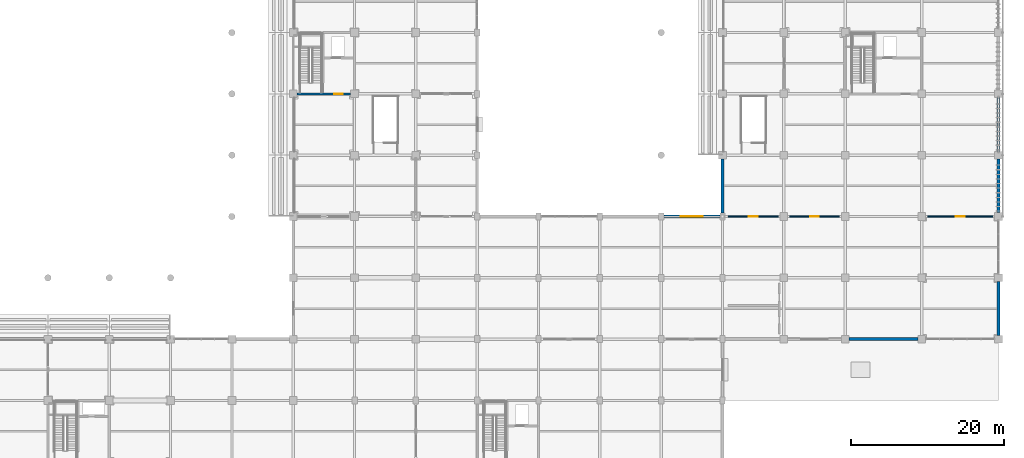
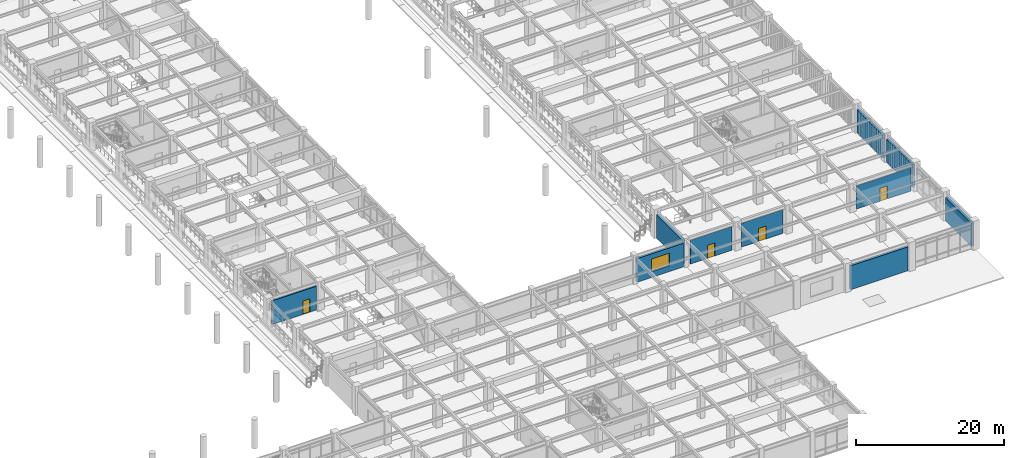
# One storey, part 78 of 117: 10 walls, 4 doors, 1 window, 5 openings.
"""IFC4 building model written with IfcOpenShell, lengths in metres."""

from ifc_helpers import new_model, si_unit, direction, frame, frame_2d, origin, place, context, subcontext, project, spatial, rectangle, extrude, material, layer, layer_set, type_object, element, fill, save


model = new_model("IFC4")

# Units and contexts
model_context = context("Model", 3, precision=1e-05, world=origin(), true_north=direction((0.0, 1.0)))
body_context = subcontext(model_context, "Body", "Model", "MODEL_VIEW")
ifc_project = project(units=[si_unit("LENGTHUNIT", "METRE"), si_unit("AREAUNIT", "SQUARE_METRE"), si_unit("VOLUMEUNIT", "CUBIC_METRE"), si_unit("PLANEANGLEUNIT", "RADIAN"), si_unit("MASSUNIT", "GRAM", prefix="KILO")], contexts=[model_context])

# Site, building, storey
site_placement = place(None, origin())
site = spatial("IfcSite", under=ifc_project, at=site_placement, CompositionType="ELEMENT")
building_placement = place(site_placement, origin())
building = spatial("IfcBuilding", under=site, at=building_placement, Name="Haebicheon Civic Stadium", CompositionType="ELEMENT")
storey_placement = place(building_placement, frame((0.0, 0.0, 4.800048828125)))
storey = spatial("IfcBuildingStorey", under=building, at=storey_placement, Name="L02", CompositionType="ELEMENT", Elevation=4.800048828125)

# Wall, opening, door
ifc_material_1 = material(Name="Concrete C40/50", Category="concrete")
ifc_layer_1 = layer(ifc_material_1, 0.239990234375, Name="Concrete C40/50")
ifc_layer_set_1 = layer_set([ifc_layer_1], Name="Concrete C40/50")
wall_type_1 = type_object("IfcWallType", Name="CW-SHR-240", PredefinedType="SHEAR", material=ifc_layer_set_1)
wall_1_placement = place(storey_placement, frame((144.5, 64.0, 0.0), z_axis=(0.0, 0.0, 1.0), x_axis=(1.0, 0.0, 0.0)))
wall_1 = element("IfcWall", 1, at=wall_1_placement, inside=storey, type_object=wall_type_1, material=ifc_layer_set_1, Name="KC-10 L02 south core shear wall", PredefinedType="SHEAR", context=body_context, shape_type="SweptSolid", body=[
    extrude(rectangle(XDim=7.0, YDim=0.239990234375, at=frame_2d((3.5, 0.0))), origin(), (0.0, 0.0, 1.0), 3.909912109375),
])
opening_1_placement = place(wall_1_placement, frame((4.85009765625, 0.0, 0.0)))
opening_1 = element("IfcOpeningElement", 2, at=opening_1_placement, cuts=wall_1, Name="Opening D-L02-KC-10-LOB", PredefinedType="OPENING", context=body_context, shape_type="SweptSolid", body=[
    extrude(rectangle(XDim=1.10009765625, YDim=2.199951171875, at=frame_2d((0.550048828125, 1.10009765625))), frame((0.0, 0.1298828125, 0.0), z_axis=(0.0, -1.0, 0.0), x_axis=(1.0, 0.0, 0.0)), (0.0, 0.0, 1.0), 0.260009765625),
])
ifc_material_2 = material(Name="Galvanised painted steel SM355", Category="steel")
door_type_1 = type_object("IfcDoorType", Name="ID-FD-1100", OperationType="NOTDEFINED", PredefinedType="DOOR", material=ifc_material_2)
door_1_placement = place(opening_1_placement, origin())
door_1 = element("IfcDoor", 3, at=door_1_placement, inside=storey, type_object=door_type_1, material=ifc_material_2, Name="L02 KC-10 lobby fire door", OperationType="SINGLE_SWING_LEFT", OverallHeight=2.199951171875, OverallWidth=1.10009765625, PredefinedType="DOOR", context=body_context, shape_type="SweptSolid", body=[
    extrude(rectangle(XDim=1.10009765625, YDim=2.199951171875, at=frame_2d((0.550048828125, 1.10009765625))), frame((0.0, 0.02490234375, 0.0), z_axis=(0.0, -1.0, 0.0), x_axis=(1.0, 0.0, 0.0)), (0.0, 0.0, 1.0), 0.050048828125),
])
fill(opening_1, door_1)

# Wall, opening, window
ifc_material_3 = material(Name="Concrete C40/50", Category="concrete")
ifc_layer_2 = layer(ifc_material_3, 0.3798828125, Name="Concrete C40/50")
ifc_layer_set_2 = layer_set([ifc_layer_2], Name="Concrete C40/50")
wall_type_2 = type_object("IfcWallType", Name="EW-BM-380", PredefinedType="SOLIDWALL", material=ifc_layer_set_2)
wall_2_placement = place(storey_placement, frame((192.35009765625, 48.0, 0.0), z_axis=(0.0, 0.0, 1.0), x_axis=(1.0, 0.0, 0.0)))
wall_2 = element("IfcWall", 4, at=wall_2_placement, inside=storey, type_object=wall_type_2, material=ifc_layer_set_2, Name="L02 board-marked concrete facade wall 24-06-N", PredefinedType="SOLIDWALL", context=body_context, shape_type="SweptSolid", body=[
    extrude(rectangle(XDim=7.2998046875, YDim=0.3798828125, at=frame_2d((3.64990234375, 0.0))), origin(), (0.0, 0.0, 1.0), 3.909912109375),
])
opening_2_placement = place(wall_2_placement, frame((2.22509765625, 0.0, 0.949951171875)))
opening_2 = element("IfcOpeningElement", 5, at=opening_2_placement, cuts=wall_2, Name="Opening WIN-285x210", PredefinedType="OPENING", context=body_context, shape_type="SweptSolid", body=[
    extrude(rectangle(XDim=2.85009765625, YDim=2.10009765625, at=frame_2d((1.425048828125, 1.050048828125))), frame((0.0, 0.199951171875, 0.0), z_axis=(0.0, -1.0, 0.0), x_axis=(1.0, 0.0, 0.0)), (0.0, 0.0, 1.0), 0.39990234375),
])
ifc_material_4 = material(Name="Anodised aluminium and laminated glass", Category="aluminium")
window_type = type_object("IfcWindowType", Name="WIN-285x210", PartitioningType="SINGLE_PANEL", PredefinedType="WINDOW", material=ifc_material_4)
window_placement = place(opening_2_placement, origin())
window = element("IfcWindow", 6, at=window_placement, inside=storey, type_object=window_type, material=ifc_material_4, Name="L02 facade window 058", OverallHeight=2.10009765625, OverallWidth=2.85009765625, PartitioningType="SINGLE_PANEL", PredefinedType="WINDOW", context=body_context, shape_type="SweptSolid", body=[
    extrude(rectangle(XDim=2.85009765625, YDim=2.10009765625, at=frame_2d((1.425048828125, 1.050048828125))), frame((0.0, 0.030029296875, 0.0), z_axis=(0.0, -1.0, 0.0), x_axis=(1.0, 0.0, 0.0)), (0.0, 0.0, 1.0), 0.06005859375),
])
fill(opening_2, window)

# Walls
wall_3_placement = place(storey_placement, frame((200.0, 48.449951171875, 0.0), z_axis=(0.0, 0.0, 1.0), x_axis=(0.0, 1.0, 0.0)))
element("IfcWall", 7, at=wall_3_placement, inside=storey, type_object=wall_type_2, material=ifc_layer_set_2, Name="L02 board-marked concrete facade wall 25-06-W", PredefinedType="SOLIDWALL", context=body_context, shape_type="SweptSolid", body=[
    extrude(rectangle(XDim=7.050048828125, YDim=0.3798828125, at=frame_2d((3.52490234375, 0.0))), origin(), (0.0, 0.0, 1.0), 3.909912109375),
])
wall_4_placement = place(storey_placement, frame((216.5, 32.0, 0.0), z_axis=(0.0, 0.0, 1.0), x_axis=(1.0, 0.0, 0.0)))
element("IfcWall", 8, at=wall_4_placement, inside=storey, type_object=wall_type_2, material=ifc_layer_set_2, Name="L02 board-marked concrete facade wall 27-04-S", PredefinedType="SOLIDWALL", context=body_context, shape_type="SweptSolid", body=[
    extrude(rectangle(XDim=9.0, YDim=0.3798828125, at=frame_2d((4.5, 0.0))), origin(), (0.0, 0.0, 1.0), 3.949951171875),
])
for number, where, z_axis, x_axis, name in (
    (9, (236.0, 32.5, 0.0), (0.0, 0.0, 1.0), (0.0, 1.0, 0.0), "L02 board-marked concrete facade wall 29-04-E"),
    (10, (236.0, 48.5, 0.0), (0.0, 0.0, 1.0), (0.0, 1.0, 0.0), "L02 board-marked concrete facade wall 29-06-E"),
    (11, (236.0, 56.5, 0.0), (0.0, 0.0, 1.0), (0.0, 1.0, 0.0), "L02 board-marked concrete facade wall 29-07-E"),
):
    element("IfcWall", number, at=place(storey_placement, frame(where, z_axis=z_axis, x_axis=x_axis)), inside=storey, type_object=wall_type_2, material=ifc_layer_set_2, Name=name, PredefinedType="SOLIDWALL", context=body_context, shape_type="SweptSolid", body=[
        extrude(rectangle(XDim=7.0, YDim=0.3798828125, at=frame_2d((3.5, 0.0))), origin(), (0.0, 0.0, 1.0), 3.81005859375),
    ])

# Wall, opening, door
ifc_material_5 = material(Name="Gypsum plasterboard on steel studs", Category="gypsum")
ifc_layer_3 = layer(ifc_material_5, 0.14990234375, Name="Gypsum plasterboard on steel studs")
ifc_layer_set_3 = layer_set([ifc_layer_3], Name="Gypsum plasterboard on steel studs")
wall_type_3 = type_object("IfcWallType", Name="IW-PRT-150", PredefinedType="PARTITIONING", material=ifc_layer_set_3)
wall_5_placement = place(storey_placement, frame((200.75, 48.0, 0.0), z_axis=(0.0, 0.0, 1.0), x_axis=(1.0, 0.0, 0.0)))
wall_5 = element("IfcWall", 12, at=wall_5_placement, inside=storey, type_object=wall_type_3, material=ifc_layer_set_3, Name="L02 Community Fitness Studio partition wall", PredefinedType="PARTITIONING", context=body_context, shape_type="SweptSolid", body=[
    extrude(rectangle(XDim=6.5, YDim=0.14990234375, at=frame_2d((3.25, 0.0))), origin(), (0.0, 0.0, 1.0), 3.909912109375),
])
opening_3_placement = place(wall_5_placement, frame((2.675048828125, 0.0, 0.0)))
opening_3 = element("IfcOpeningElement", 13, at=opening_3_placement, cuts=wall_5, Name="Opening D-L02-220", PredefinedType="OPENING", context=body_context, shape_type="SweptSolid", body=[
    extrude(rectangle(XDim=1.14990234375, YDim=2.14990234375, at=frame_2d((0.574951171875, 1.074951171875))), frame((0.0, 0.0849609375, 0.0), z_axis=(0.0, -1.0, 0.0), x_axis=(1.0, 0.0, 0.0)), (0.0, 0.0, 1.0), 0.169921875),
])
ifc_material_6 = material(Name="Engineered hardwood timber", Category="wood")
door_type_2 = type_object("IfcDoorType", Name="ID-RM-1150", OperationType="NOTDEFINED", PredefinedType="DOOR", material=ifc_material_6)
door_2_placement = place(opening_3_placement, origin())
door_2 = element("IfcDoor", 14, at=door_2_placement, inside=storey, type_object=door_type_2, material=ifc_material_6, Name="L02 Community Fitness Studio entrance door D-L02-220", OperationType="SINGLE_SWING_RIGHT", OverallHeight=2.14990234375, OverallWidth=1.14990234375, PredefinedType="DOOR", context=body_context, shape_type="SweptSolid", body=[
    extrude(rectangle(XDim=1.14990234375, YDim=2.14990234375, at=frame_2d((0.574951171875, 1.074951171875))), frame((0.0, 0.02490234375, 0.0), z_axis=(0.0, -1.0, 0.0), x_axis=(1.0, 0.0, 0.0)), (0.0, 0.0, 1.0), 0.050048828125),
])
fill(opening_3, door_2)

wall_6_placement = place(storey_placement, frame((208.75, 48.0, 0.0), z_axis=(0.0, 0.0, 1.0), x_axis=(1.0, 0.0, 0.0)))
wall_6 = element("IfcWall", 15, at=wall_6_placement, inside=storey, type_object=wall_type_3, material=ifc_layer_set_3, Name="L02 Community Fitness Studio partition wall", PredefinedType="PARTITIONING", context=body_context, shape_type="SweptSolid", body=[
    extrude(rectangle(XDim=6.5, YDim=0.14990234375, at=frame_2d((3.25, 0.0))), origin(), (0.0, 0.0, 1.0), 3.909912109375),
])
opening_4_placement = place(wall_6_placement, frame((2.675048828125, 0.0, 0.0)))
opening_4 = element("IfcOpeningElement", 16, at=opening_4_placement, cuts=wall_6, Name="Opening D-L02-223", PredefinedType="OPENING", context=body_context, shape_type="SweptSolid", body=[
    extrude(rectangle(XDim=1.14990234375, YDim=2.14990234375, at=frame_2d((0.574951171875, 1.074951171875))), frame((0.0, 0.0849609375, 0.0), z_axis=(0.0, -1.0, 0.0), x_axis=(1.0, 0.0, 0.0)), (0.0, 0.0, 1.0), 0.169921875),
])
door_3_placement = place(opening_4_placement, origin())
door_3 = element("IfcDoor", 17, at=door_3_placement, inside=storey, type_object=door_type_2, material=ifc_material_6, Name="L02 Community Fitness Studio entrance door D-L02-223", OperationType="SINGLE_SWING_LEFT", OverallHeight=2.14990234375, OverallWidth=1.14990234375, PredefinedType="DOOR", context=body_context, shape_type="SweptSolid", body=[
    extrude(rectangle(XDim=1.14990234375, YDim=2.14990234375, at=frame_2d((0.574951171875, 1.074951171875))), frame((0.0, 0.02490234375, 0.0), z_axis=(0.0, -1.0, 0.0), x_axis=(1.0, 0.0, 0.0)), (0.0, 0.0, 1.0), 0.050048828125),
])
fill(opening_4, door_3)

wall_7_placement = place(storey_placement, frame((226.75, 48.0, 0.0), z_axis=(0.0, 0.0, 1.0), x_axis=(1.0, 0.0, 0.0)))
wall_7 = element("IfcWall", 18, at=wall_7_placement, inside=storey, type_object=wall_type_3, material=ifc_layer_set_3, Name="L02 Community Fitness Studio partition wall", PredefinedType="PARTITIONING", context=body_context, shape_type="SweptSolid", body=[
    extrude(rectangle(XDim=8.5, YDim=0.14990234375, at=frame_2d((4.25, 0.0))), origin(), (0.0, 0.0, 1.0), 3.81005859375),
])
opening_5_placement = place(wall_7_placement, frame((3.675048828125, 0.0, 0.0)))
opening_5 = element("IfcOpeningElement", 19, at=opening_5_placement, cuts=wall_7, Name="Opening D-L02-228", PredefinedType="OPENING", context=body_context, shape_type="SweptSolid", body=[
    extrude(rectangle(XDim=1.14990234375, YDim=2.14990234375, at=frame_2d((0.574951171875, 1.074951171875))), frame((0.0, 0.0849609375, 0.0), z_axis=(0.0, -1.0, 0.0), x_axis=(1.0, 0.0, 0.0)), (0.0, 0.0, 1.0), 0.169921875),
])
door_4_placement = place(opening_5_placement, origin())
door_4 = element("IfcDoor", 20, at=door_4_placement, inside=storey, type_object=door_type_2, material=ifc_material_6, Name="L02 Community Fitness Studio entrance door D-L02-228", OperationType="SINGLE_SWING_RIGHT", OverallHeight=2.14990234375, OverallWidth=1.14990234375, PredefinedType="DOOR", context=body_context, shape_type="SweptSolid", body=[
    extrude(rectangle(XDim=1.14990234375, YDim=2.14990234375, at=frame_2d((0.574951171875, 1.074951171875))), frame((0.0, 0.02490234375, 0.0), z_axis=(0.0, -1.0, 0.0), x_axis=(1.0, 0.0, 0.0)), (0.0, 0.0, 1.0), 0.050048828125),
])
fill(opening_5, door_4)

save(model, "model.ifc")
